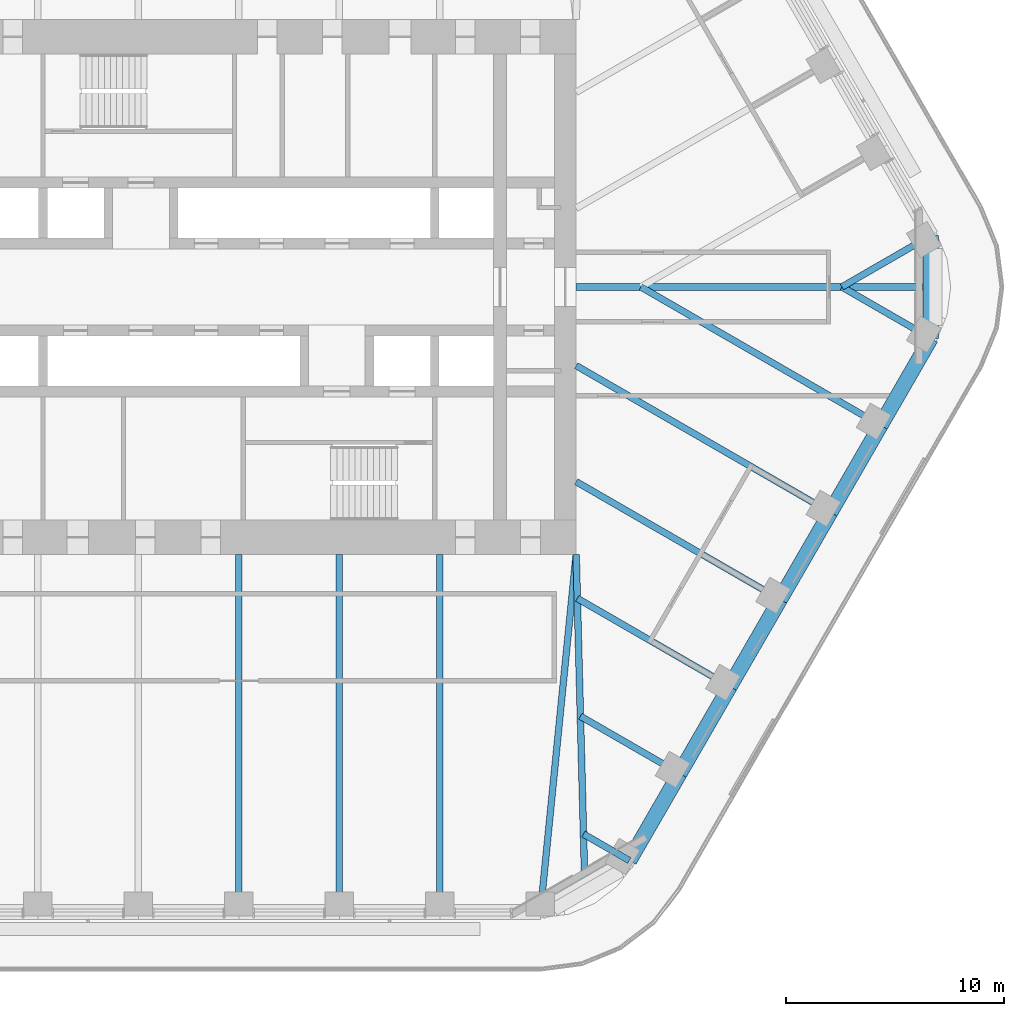
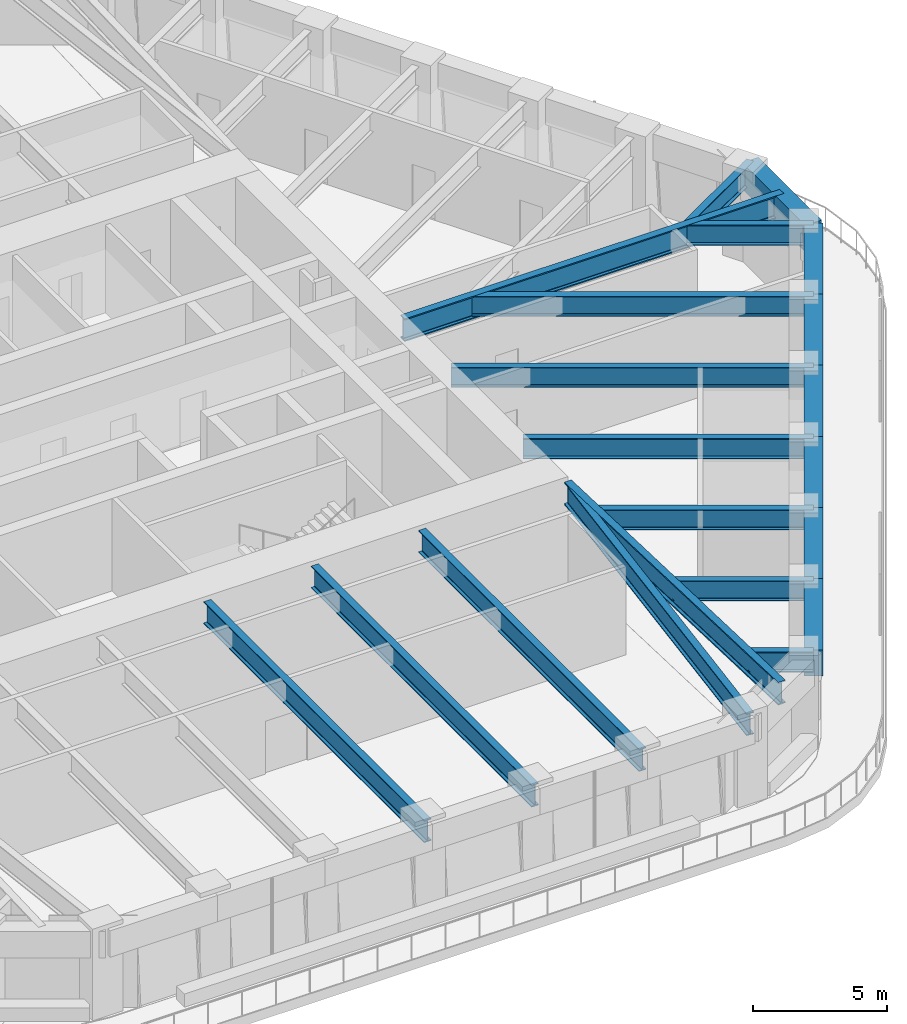
# One storey, part 5 of 20: 21 beams.
"""IFC4 building model written with IfcOpenShell, lengths in metres."""

from ifc_helpers import new_model, si_unit, direction, frame, origin, origin_2d, place, context, subcontext, project, spatial, rectangle, i_section, extrude, material, material_profile, profile_set, type_object, element, save


model = new_model("IFC4")

# Units and contexts
model_context = context("Model", 3, precision=1e-05, world=origin(), true_north=direction((0.0, 1.0)))
body_context = subcontext(model_context, "Body", "Model", "MODEL_VIEW")
ifc_project = project(units=[si_unit("LENGTHUNIT", "METRE"), si_unit("AREAUNIT", "SQUARE_METRE"), si_unit("VOLUMEUNIT", "CUBIC_METRE"), si_unit("PLANEANGLEUNIT", "RADIAN"), si_unit("MASSUNIT", "GRAM", prefix="KILO")], contexts=[model_context])

# Site, building, storey
site_placement = place(None, origin())
site = spatial("IfcSite", under=ifc_project, at=site_placement, CompositionType="ELEMENT")
building_placement = place(site_placement, origin())
building = spatial("IfcBuilding", under=site, at=building_placement, Name="Tarfa Lantern Tower", CompositionType="ELEMENT")
storey_placement = place(building_placement, frame((0.0, 0.0, 236.5)))
storey = spatial("IfcBuildingStorey", under=building, at=storey_placement, Name="L53", CompositionType="ELEMENT", Elevation=236.5)

# Beams
ifc_material_1 = material(Name="Concrete C80/95", Category="concrete")
ifc_material_profile_1 = material_profile(ifc_material_1, rectangle(XDim=0.699951171875, YDim=1.199951171875, at=origin_2d()), Name="RC 700x1200")
ifc_profile_set_1 = profile_set([ifc_material_profile_1], Name="Concrete C80/95")
beam_type_1 = type_object("IfcBeamType", Name="EB3 RC 700x1200", PredefinedType="SPANDREL", material=ifc_profile_set_1)
for number, where, z_axis, x_axis, name in (
    (1, (17.944091796875, -26.360107421875, 3.39990234375), (0.499987836815, 0.866032426089, 0.0), (-0.866032426089, 0.499987836815, 0.0), "Edge beam SE0"),
    (2, (20.25341796875, -22.360107421875, 3.39990234375), (0.499987836815, 0.866032426089, 0.0), (-0.866032426089, 0.499987836815, 0.0), "Edge beam SE1"),
):
    element("IfcBeam", number, at=place(storey_placement, frame(where, z_axis=z_axis, x_axis=x_axis)), inside=storey, type_object=beam_type_1, Name=name, PredefinedType="SPANDREL", context=body_context, shape_type="SweptSolid", body=[
        extrude(rectangle(XDim=0.699951171875, YDim=1.199951171875, at=origin_2d()), origin(), (0.0, 0.0, 1.0), 4.61865234375),
    ])
beam_1_placement = place(storey_placement, frame((22.562744140625, -18.360107421875, 3.39990234375), z_axis=(0.500027479704, 0.866009537788, 0.0), x_axis=(-0.866009537788, 0.500027479704, 0.0)))
element("IfcBeam", 3, at=beam_1_placement, inside=storey, type_object=beam_type_1, Name="Edge beam SE2", PredefinedType="SPANDREL", context=body_context, shape_type="SweptSolid", body=[
    extrude(rectangle(XDim=0.699951171875, YDim=1.199951171875, at=origin_2d()), origin(), (0.0, 0.0, 1.0), 4.618896484375),
])
for number, where, z_axis, x_axis, name in (
    (4, (24.872314453125, -14.360107421875, 3.39990234375), (0.499987836815, 0.866032426089, 0.0), (-0.866032426089, 0.499987836815, 0.0), "Edge beam SE3"),
    (5, (27.181640625, -10.360107421875, 3.39990234375), (0.499987836815, 0.866032426089, 0.0), (-0.866032426089, 0.499987836815, 0.0), "Edge beam SE4"),
):
    element("IfcBeam", number, at=place(storey_placement, frame(where, z_axis=z_axis, x_axis=x_axis)), inside=storey, type_object=beam_type_1, Name=name, PredefinedType="SPANDREL", context=body_context, shape_type="SweptSolid", body=[
        extrude(rectangle(XDim=0.699951171875, YDim=1.199951171875, at=origin_2d()), origin(), (0.0, 0.0, 1.0), 4.61865234375),
    ])
beam_2_placement = place(storey_placement, frame((29.490966796875, -6.360107421875, 3.39990234375), z_axis=(0.500027479704, 0.866009537788, 0.0), x_axis=(-0.866009537788, 0.500027479704, 0.0)))
element("IfcBeam", 6, at=beam_2_placement, inside=storey, type_object=beam_type_1, Name="Edge beam SE5", PredefinedType="SPANDREL", context=body_context, shape_type="SweptSolid", body=[
    extrude(rectangle(XDim=0.699951171875, YDim=1.199951171875, at=origin_2d()), origin(), (0.0, 0.0, 1.0), 4.618896484375),
])
beam_3_placement = place(storey_placement, frame((31.800537109375, -2.360107421875, 3.39990234375), z_axis=(0.0, 1.0, 0.0), x_axis=(-1.0, 0.0, 0.0)))
element("IfcBeam", 7, at=beam_3_placement, inside=storey, type_object=beam_type_1, Name="Edge beam SE6", PredefinedType="SPANDREL", context=body_context, shape_type="SweptSolid", body=[
    extrude(rectangle(XDim=0.699951171875, YDim=1.199951171875, at=origin_2d()), origin(), (0.0, 0.0, 1.0), 4.72021484375),
])
ifc_material_2 = material(Name="Steel S460M", Category="steel")
ifc_material_profile_2 = material_profile(ifc_material_2, i_section(OverallWidth=0.302001953125, OverallDepth=1.008056640625, WebThickness=0.02099609375, FlangeThickness=0.0400390625, FilletRadius=0.030029296875, at=origin_2d()), Name="UB1016x305x349")
ifc_profile_set_2 = profile_set([ifc_material_profile_2], Name="Steel S460M")
beam_type_2 = type_object("IfcBeamType", Name="UB1016x305x349", PredefinedType="BEAM", material=ifc_profile_set_2)
for number, where, z_axis, x_axis, name in (
    (8, (0.0, -28.719970703125, 3.495849609375), (0.0, 1.0, 0.0), (-1.0, 0.0, 0.0), "Floor beam S3"),
    (9, (4.618896484375, -28.719970703125, 3.495849609375), (0.0, 1.0, 0.0), (-1.0, 0.0, 0.0), "Floor beam S4"),
    (10, (9.237548828125, -28.719970703125, 3.495849609375), (0.0, 1.0, 0.0), (-1.0, 0.0, 0.0), "Floor beam S5"),
):
    element("IfcBeam", number, at=place(storey_placement, frame(where, z_axis=z_axis, x_axis=x_axis)), inside=storey, type_object=beam_type_2, Name=name, PredefinedType="BEAM", context=body_context, shape_type="SweptSolid", body=[
        extrude(i_section(OverallWidth=0.302001953125, OverallDepth=1.008056640625, WebThickness=0.02099609375, FlangeThickness=0.0400390625, FilletRadius=0.030029296875, at=origin_2d()), origin(), (0.0, 0.0, 1.0), 16.419921875),
    ])
beam_4_placement = place(storey_placement, frame((13.8564453125, -28.719970703125, 3.495849609375), z_axis=(0.099597466746, 0.995027810977, 0.0), x_axis=(-0.995027810977, 0.099597466746, 0.0)))
element("IfcBeam", 11, at=beam_4_placement, inside=storey, type_object=beam_type_2, Name="Floor beam S6", PredefinedType="BEAM", context=body_context, shape_type="SweptSolid", body=[
    extrude(i_section(OverallWidth=0.302001953125, OverallDepth=1.008056640625, WebThickness=0.02099609375, FlangeThickness=0.0400390625, FilletRadius=0.030029296875, at=origin_2d()), origin(), (0.0, 0.0, 1.0), 16.501953125),
])
ifc_material_profile_3 = material_profile(ifc_material_2, i_section(OverallWidth=0.30859375, OverallDepth=1.036376953125, WebThickness=0.030029296875, FlangeThickness=0.05419921875, FilletRadius=0.030029296875, at=origin_2d()), Name="UB1016x305x487")
ifc_profile_set_3 = profile_set([ifc_material_profile_3], Name="Steel S460M")
beam_type_3 = type_object("IfcBeamType", Name="UB1016x305x487", PredefinedType="BEAM", material=ifc_profile_set_3)
beam_5_placement = place(storey_placement, frame((15.5, 0.0, 3.48193359375), z_axis=(1.0, 0.0, 0.0), x_axis=(0.0, 1.0, 0.0)))
element("IfcBeam", 12, at=beam_5_placement, inside=storey, type_object=beam_type_3, Name="Hip girder E", PredefinedType="BEAM", context=body_context, shape_type="SweptSolid", body=[
    extrude(i_section(OverallWidth=0.30859375, OverallDepth=1.036376953125, WebThickness=0.030029296875, FlangeThickness=0.05419921875, FilletRadius=0.030029296875, at=origin_2d()), origin(), (0.0, 0.0, 1.0), 16.300537109375),
])
beam_6_placement = place(storey_placement, frame((15.5, -12.300048828125, 3.48193359375), z_axis=(0.026247301989, -0.999655480222, 0.0), x_axis=(0.999655480222, 0.026247301989, 0.0)))
element("IfcBeam", 13, at=beam_6_placement, inside=storey, type_object=beam_type_3, Name="Hip girder SE", PredefinedType="BEAM", context=body_context, shape_type="SweptSolid", body=[
    extrude(i_section(OverallWidth=0.30859375, OverallDepth=1.036376953125, WebThickness=0.030029296875, FlangeThickness=0.05419921875, FilletRadius=0.030029296875, at=origin_2d()), origin(), (0.0, 0.0, 1.0), 15.245361328125),
])
ifc_material_profile_4 = material_profile(ifc_material_2, i_section(OverallWidth=0.305419921875, OverallDepth=0.91845703125, WebThickness=0.017333984375, FlangeThickness=0.02783203125, FilletRadius=0.01904296875, at=origin_2d()), Name="UB914x305x253")
ifc_profile_set_4 = profile_set([ifc_material_profile_4], Name="Steel S460M")
beam_type_4 = type_object("IfcBeamType", Name="UB914x305x253", PredefinedType="BEAM", material=ifc_profile_set_4)
beam_7_placement = place(storey_placement, frame((31.800537109375, 2.360107421875, 3.540771484375), z_axis=(-0.866015897305, -0.500016465344, 0.0), x_axis=(0.500016465344, -0.866015897305, 0.0)))
element("IfcBeam", 14, at=beam_7_placement, inside=storey, type_object=beam_type_4, Name="Floor beam NE0", PredefinedType="BEAM", context=body_context, shape_type="SweptSolid", body=[
    extrude(i_section(OverallWidth=0.305419921875, OverallDepth=0.91845703125, WebThickness=0.017333984375, FlangeThickness=0.02783203125, FilletRadius=0.01904296875, at=origin_2d()), origin(), (0.0, 0.0, 1.0), 4.719970703125),
])
beam_8_placement = place(storey_placement, frame((17.944091796875, -26.360107421875, 3.540771484375), z_axis=(-0.865980009423, 0.5000786171, 0.0), x_axis=(-0.5000786171, -0.865980009423, 0.0)))
element("IfcBeam", 15, at=beam_8_placement, inside=storey, type_object=beam_type_4, Name="Floor beam SE0", PredefinedType="BEAM", context=body_context, shape_type="SweptSolid", body=[
    extrude(i_section(OverallWidth=0.305419921875, OverallDepth=0.91845703125, WebThickness=0.017333984375, FlangeThickness=0.02783203125, FilletRadius=0.01904296875, at=origin_2d()), origin(), (0.0, 0.0, 1.0), 2.4326171875),
])
beam_9_placement = place(storey_placement, frame((20.25341796875, -22.360107421875, 3.540771484375), z_axis=(-0.86601951648, 0.500010196972, 0.0), x_axis=(-0.500010196972, -0.86601951648, 0.0)))
element("IfcBeam", 16, at=beam_9_placement, inside=storey, type_object=beam_type_4, Name="Floor beam SE1", PredefinedType="BEAM", context=body_context, shape_type="SweptSolid", body=[
    extrude(i_section(OverallWidth=0.305419921875, OverallDepth=0.91845703125, WebThickness=0.017333984375, FlangeThickness=0.02783203125, FilletRadius=0.01904296875, at=origin_2d()), origin(), (0.0, 0.0, 1.0), 5.263671875),
])
beam_10_placement = place(storey_placement, frame((22.562744140625, -18.360107421875, 3.540771484375), z_axis=(-0.866010787764, 0.500025314835, 0.0), x_axis=(-0.500025314835, -0.866010787764, 0.0)))
element("IfcBeam", 17, at=beam_10_placement, inside=storey, type_object=beam_type_4, Name="Floor beam SE2", PredefinedType="BEAM", context=body_context, shape_type="SweptSolid", body=[
    extrude(i_section(OverallWidth=0.305419921875, OverallDepth=0.91845703125, WebThickness=0.017333984375, FlangeThickness=0.02783203125, FilletRadius=0.01904296875, at=origin_2d()), origin(), (0.0, 0.0, 1.0), 8.09423828125),
])
beam_11_placement = place(storey_placement, frame((24.872314453125, -14.360107421875, 3.540771484375), z_axis=(-0.8660244219, 0.500001700669, 0.0), x_axis=(-0.500001700669, -0.8660244219, 0.0)))
element("IfcBeam", 18, at=beam_11_placement, inside=storey, type_object=beam_type_4, Name="Floor beam SE3", PredefinedType="BEAM", context=body_context, shape_type="SweptSolid", body=[
    extrude(i_section(OverallWidth=0.305419921875, OverallDepth=0.91845703125, WebThickness=0.017333984375, FlangeThickness=0.02783203125, FilletRadius=0.01904296875, at=origin_2d()), origin(), (0.0, 0.0, 1.0), 10.822265625),
])
beam_12_placement = place(storey_placement, frame((27.181640625, -10.360107421875, 3.540771484375), z_axis=(-0.866018002818, 0.500012818631, 0.0), x_axis=(-0.500012818631, -0.866018002818, 0.0)))
element("IfcBeam", 19, at=beam_12_placement, inside=storey, type_object=beam_type_4, Name="Floor beam SE4", PredefinedType="BEAM", context=body_context, shape_type="SweptSolid", body=[
    extrude(i_section(OverallWidth=0.305419921875, OverallDepth=0.91845703125, WebThickness=0.017333984375, FlangeThickness=0.02783203125, FilletRadius=0.01904296875, at=origin_2d()), origin(), (0.0, 0.0, 1.0), 13.489013671875),
])
beam_13_placement = place(storey_placement, frame((29.490966796875, -6.360107421875, 3.540771484375), z_axis=(-0.866022258038, 0.500005448553, 0.0), x_axis=(-0.500005448553, -0.866022258038, 0.0)))
element("IfcBeam", 20, at=beam_13_placement, inside=storey, type_object=beam_type_4, Name="Floor beam SE5", PredefinedType="BEAM", context=body_context, shape_type="SweptSolid", body=[
    extrude(i_section(OverallWidth=0.305419921875, OverallDepth=0.91845703125, WebThickness=0.017333984375, FlangeThickness=0.02783203125, FilletRadius=0.01904296875, at=origin_2d()), origin(), (0.0, 0.0, 1.0), 12.719970703125),
])
beam_14_placement = place(storey_placement, frame((31.800537109375, -2.360107421875, 3.540771484375), z_axis=(-0.866015897305, 0.500016465344, 0.0), x_axis=(-0.500016465344, -0.866015897305, 0.0)))
element("IfcBeam", 21, at=beam_14_placement, inside=storey, type_object=beam_type_4, Name="Floor beam SE6", PredefinedType="BEAM", context=body_context, shape_type="SweptSolid", body=[
    extrude(i_section(OverallWidth=0.305419921875, OverallDepth=0.91845703125, WebThickness=0.017333984375, FlangeThickness=0.02783203125, FilletRadius=0.01904296875, at=origin_2d()), origin(), (0.0, 0.0, 1.0), 4.719970703125),
])

save(model, "model.ifc")
